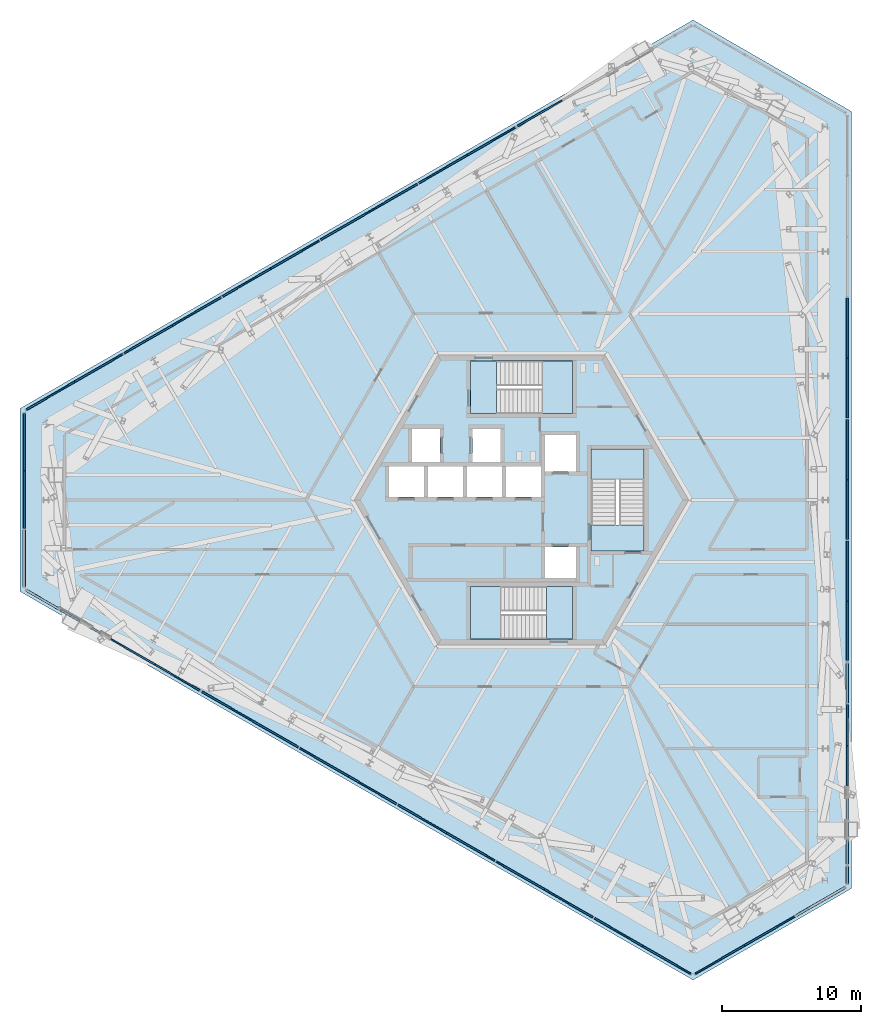
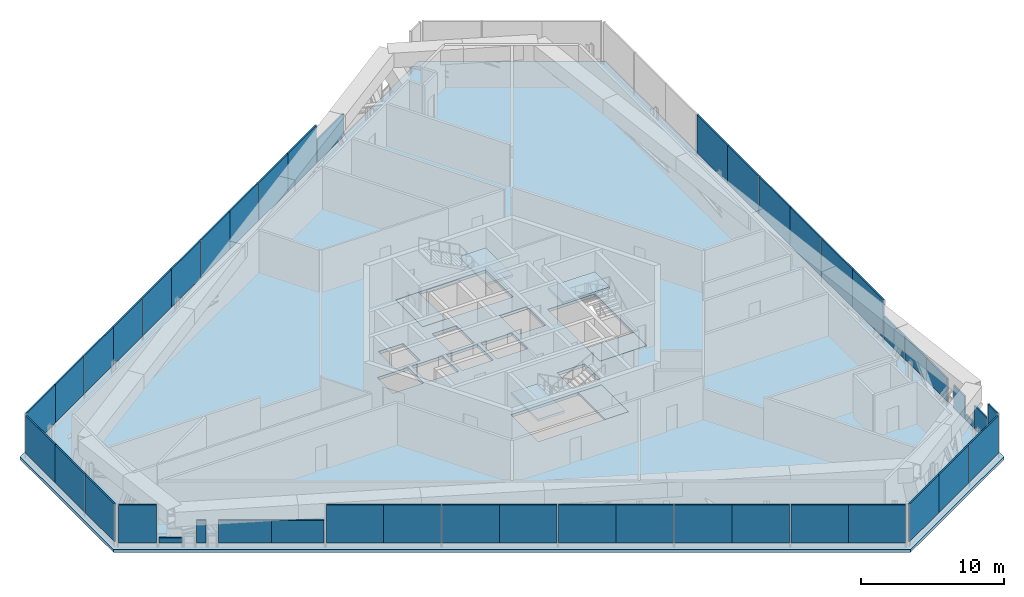
# One storey, part 12 of 23: 45 plates, 7 slabs, 18 elements without a shape of their own.
"""IFC4 building model written with IfcOpenShell, lengths in metres."""

from ifc_helpers import new_model, si_unit, direction, frame, origin, origin_2d, place, context, subcontext, project, spatial, polyline, rectangle, outline, extrude, source, transform, mapped, material, layer, layer_set, type_object, element, aggregate, save


model = new_model("IFC4")

# Units and contexts
model_context = context("Model", 3, precision=1e-05, world=origin(), true_north=direction((0.0, 1.0)))
body_context = subcontext(model_context, "Body", "Model", "MODEL_VIEW")
ifc_project = project(units=[si_unit("LENGTHUNIT", "METRE"), si_unit("AREAUNIT", "SQUARE_METRE"), si_unit("VOLUMEUNIT", "CUBIC_METRE"), si_unit("PLANEANGLEUNIT", "RADIAN"), si_unit("MASSUNIT", "GRAM", prefix="KILO")], contexts=[model_context])

# Site, building, storey
site_placement = place(None, origin())
site = spatial("IfcSite", under=ifc_project, at=site_placement, CompositionType="ELEMENT")
building_placement = place(site_placement, origin())
building = spatial("IfcBuilding", under=site, at=building_placement, Name="Triune Harvest Tower", CompositionType="ELEMENT")
storey_placement = place(building_placement, frame((0.0, 0.0, 54.699951171875)))
storey = spatial("IfcBuildingStorey", under=building, at=storey_placement, Name="L12", CompositionType="ELEMENT", Elevation=54.699951171875)

# Curtain wall, plate
ifc_material_1 = material(Name="Aluminium bronze anodised", Category="aluminium")
curtain_wall_type = type_object("IfcCurtainWallType", Name="CW-5 Plant louvre wall", PredefinedType="NOTDEFINED", material=ifc_material_1)
curtain_wall_1_placement = place(storey_placement, origin())
curtain_wall_1 = element("IfcCurtainWall", 1, at=curtain_wall_1_placement, inside=storey, type_object=curtain_wall_type, Name="CW-5 B1-F1 L12 run 201")
ifc_material_2 = material(Name="Aluminium bronze anodised", Category="aluminium")
ifc_layer_1 = layer(ifc_material_2, 0.1201171875)
ifc_layer_set_1 = layer_set([ifc_layer_1], Name="Aluminium bronze anodised")
plate_type = type_object("IfcPlateType", Name="GL-5 panel 120", PredefinedType="CURTAIN_PANEL", material=ifc_layer_set_1)
plate_1_placement = place(storey_placement, frame((23.371337890625, -23.6396484375, 0.400146484375), z_axis=(0.0, 0.0, 1.0), x_axis=(0.0, 1.0, 0.0)))
plate_1 = element("IfcPlate", 2, at=plate_1_placement, type_object=plate_type, Name="CW-5 panel B1-F1 201.1", PredefinedType="CURTAIN_PANEL", context=body_context, shape_type="SweptSolid", body=[
    extrude(rectangle(XDim=1.06005859375, YDim=0.1201171875, at=origin_2d()), origin(), (0.0, 0.0, 1.0), 0.43896484375),
])
aggregate(curtain_wall_1, [plate_1])

curtain_wall_2_placement = place(storey_placement, origin())
curtain_wall_2 = element("IfcCurtainWall", 3, at=curtain_wall_2_placement, inside=storey, type_object=curtain_wall_type, Name="CW-5 B1-F1 L12 run 301")
plate_2_placement = place(storey_placement, frame((23.371337890625, -22.18017578125, 0.39990234375), z_axis=(0.0, 0.0, 1.0), x_axis=(0.0, 1.0, 0.0)))
plate_2 = element("IfcPlate", 4, at=plate_2_placement, type_object=plate_type, Name="CW-5 panel B1-F1 301.1", PredefinedType="CURTAIN_PANEL", context=body_context, shape_type="SweptSolid", body=[
    extrude(rectangle(XDim=1.538818359375, YDim=0.1201171875, at=origin_2d()), origin(), (0.0, 0.0, 1.0), 1.929931640625),
])
aggregate(curtain_wall_2, [plate_2])

# Curtain wall, plates
curtain_wall_3_placement = place(storey_placement, origin())
curtain_wall_3 = element("IfcCurtainWall", 5, at=curtain_wall_3_placement, inside=storey, type_object=curtain_wall_type, Name="CW-5 B1-F1 L12 run 501")
plate_3_placement = place(storey_placement, frame((23.371337890625, -19.090576171875, 0.39990234375), z_axis=(0.0, 0.0, 1.0), x_axis=(0.0, 1.0, 0.0)))
plate_3 = element("IfcPlate", 6, at=plate_3_placement, type_object=plate_type, Name="CW-5 panel B1-F1 501.1", PredefinedType="CURTAIN_PANEL", context=body_context, shape_type="SweptSolid", body=[
    extrude(rectangle(XDim=2.9248046875, YDim=0.1201171875, at=origin_2d()), origin(), (0.0, 0.0, 1.0), 1.929931640625),
])
plate_4_placement = place(storey_placement, frame((23.371337890625, -16.145751953125, 0.39990234375), z_axis=(0.0, 0.0, 1.0), x_axis=(0.0, 1.0, 0.0)))
plate_4 = element("IfcPlate", 7, at=plate_4_placement, type_object=plate_type, Name="CW-5 panel B1-F1 501.2", PredefinedType="CURTAIN_PANEL", context=body_context, shape_type="SweptSolid", body=[
    extrude(rectangle(XDim=2.96484375, YDim=0.1201171875, at=origin_2d()), origin(), (0.0, 0.0, 1.0), 1.929931640625),
])
plate_5_placement = place(storey_placement, frame((23.371337890625, -13.14111328125, 0.39990234375), z_axis=(0.0, 0.0, 1.0), x_axis=(0.0, 1.0, 0.0)))
plate_5 = element("IfcPlate", 8, at=plate_5_placement, type_object=plate_type, Name="CW-5 panel B1-F1 501.3", PredefinedType="CURTAIN_PANEL", context=body_context, shape_type="SweptSolid", body=[
    extrude(rectangle(XDim=2.884765625, YDim=0.1201171875, at=origin_2d()), origin(), (0.0, 0.0, 1.0), 1.929931640625),
])
aggregate(curtain_wall_3, [plate_3, plate_4, plate_5])

# Curtain wall, plate
curtain_wall_4_placement = place(storey_placement, origin())
curtain_wall_4 = element("IfcCurtainWall", 9, at=curtain_wall_4_placement, inside=storey, type_object=curtain_wall_type, Name="CW-5 B1-F1 L12 run 601")
plate_6_placement = place(storey_placement, frame((23.371337890625, -9.39892578125, 0.39990234375), z_axis=(0.0, 0.0, 1.0), x_axis=(0.0, 1.0, 0.0)))
plate_6 = element("IfcPlate", 10, at=plate_6_placement, type_object=plate_type, Name="CW-5 panel B1-F1 601.1", PredefinedType="CURTAIN_PANEL", context=body_context, shape_type="SweptSolid", body=[
    extrude(rectangle(XDim=4.279541015625, YDim=0.1201171875, at=origin_2d()), origin(), (0.0, 0.0, 1.0), 3.239990234375),
])

curtain_wall_5_placement = place(storey_placement, origin())
curtain_wall_5 = element("IfcCurtainWall", 11, at=curtain_wall_5_placement, inside=storey, type_object=curtain_wall_type, Name="CW-5 B1-F5 L12 run 1")
plate_7_placement = place(storey_placement, frame((-34.379638671875, -7.1376953125, 0.39990234375), z_axis=(0.0, 0.0, 1.0), x_axis=(0.866029321882, -0.499993213594, 0.0)))
plate_7 = element("IfcPlate", 12, at=plate_7_placement, type_object=plate_type, Name="CW-5 panel B1-F5 1.1", PredefinedType="CURTAIN_PANEL", context=body_context, shape_type="SweptSolid", body=[
    extrude(rectangle(XDim=2.6640625, YDim=0.1201171875, at=origin_2d()), origin(), (0.0, 0.0, 1.0), 3.239990234375),
])
aggregate(curtain_wall_5, [plate_7])

curtain_wall_6_placement = place(storey_placement, origin())
curtain_wall_6 = element("IfcCurtainWall", 13, at=curtain_wall_6_placement, inside=storey, type_object=curtain_wall_type, Name="CW-5 B1-F5 L12 run 101")
plate_8_placement = place(storey_placement, frame((-32.393310546875, -8.28466796875, 0.400146484375), z_axis=(0.0, 0.0, 1.0), x_axis=(0.866042984989, -0.499969547224, 0.0)))
plate_8 = element("IfcPlate", 14, at=plate_8_placement, type_object=plate_type, Name="CW-5 panel B1-F5 101.1", PredefinedType="CURTAIN_PANEL", context=body_context, shape_type="SweptSolid", body=[
    extrude(rectangle(XDim=1.603271484375, YDim=0.1201171875, at=origin_2d()), origin(), (0.0, 0.0, 1.0), 0.43896484375),
])
aggregate(curtain_wall_6, [plate_8])

# Slab
ifc_material_3 = material(Name="Concrete 40 MPa", Category="concrete")
ifc_layer_2 = layer(ifc_material_3, 0.25)
ifc_layer_set_2 = layer_set([ifc_layer_2], Name="Concrete 40 MPa")
slab_type_1 = type_object("IfcSlabType", Name="SL-4 Composite floor slab 250", PredefinedType="FLOOR", material=ifc_layer_set_2)
slab_1_placement = place(storey_placement, frame((0.0, 0.0, -0.25)))
element("IfcSlab", 15, at=slab_1_placement, inside=storey, type_object=slab_type_1, Name="slab/L12/1", PredefinedType="FLOOR", context=body_context, shape_type="SweptSolid", body=[
    extrude(outline(polyline([(23.67138671875, -27.8798828125), (23.67138671875, 27.8798828125), (12.30908203125, 34.43994140625), (-35.98046875, 6.56005859375), (-35.98046875, -6.56005859375), (12.30908203125, -34.43994140625), (23.67138671875, -27.8798828125)]), holes=[polyline([(-7.0, 0.2099609375), (-7.0, 2.409912109375), (-9.5, 2.409912109375), (-9.5, 0.2099609375), (-7.0, 0.2099609375)]), polyline([(-4.199951171875, 0.2099609375), (-4.199951171875, 2.409912109375), (-6.699951171875, 2.409912109375), (-6.699951171875, 0.2099609375), (-4.199951171875, 0.2099609375)]), polyline([(-1.39990234375, 0.2099609375), (-1.39990234375, 2.409912109375), (-3.89990234375, 2.409912109375), (-3.89990234375, 0.2099609375), (-1.39990234375, 0.2099609375)]), polyline([(1.39990234375, 0.2099609375), (1.39990234375, 2.409912109375), (-1.10009765625, 2.409912109375), (-1.10009765625, 0.2099609375), (1.39990234375, 0.2099609375)]), polyline([(3.89990234375, 2.06005859375), (3.89990234375, 4.659912109375), (1.699951171875, 4.659912109375), (1.699951171875, 2.06005859375), (3.89990234375, 2.06005859375)]), polyline([(3.89990234375, -5.590087890625), (3.89990234375, -3.389892578125), (1.699951171875, -3.389892578125), (1.699951171875, -5.590087890625), (3.89990234375, -5.590087890625)]), polyline([(-5.85009765625, 2.7099609375), (-5.85009765625, 5.110107421875), (-7.85009765625, 5.110107421875), (-7.85009765625, 2.7099609375), (-5.85009765625, 2.7099609375)]), polyline([(-1.5, 2.7099609375), (-1.5, 5.110107421875), (-3.5, 5.110107421875), (-3.5, 2.7099609375), (-1.5, 2.7099609375)]), polyline([(3.64990234375, 6.18994140625), (3.64990234375, 9.989990234375), (-3.64990234375, 9.989990234375), (-3.64990234375, 6.18994140625), (3.64990234375, 6.18994140625)]), polyline([(3.64990234375, -9.989990234375), (3.64990234375, -6.18994140625), (-3.64990234375, -6.18994140625), (-3.64990234375, -9.989990234375), (3.64990234375, -9.989990234375)]), polyline([(8.800048828125, -3.64990234375), (8.800048828125, 3.64990234375), (5.0, 3.64990234375), (5.0, -3.64990234375), (8.800048828125, -3.64990234375)])]), origin(), (0.0, 0.0, 1.0), 0.25),
])

# Stair, slabs
ifc_material_4 = material(Name="Concrete 40 MPa", Category="concrete")
stair_type = type_object("IfcStairType", Name="Exit stair 1800 half turn", PredefinedType="HALF_TURN_STAIR", material=ifc_material_4)
stair_1_placement = place(storey_placement, origin())
stair_1 = element("IfcStair", 16, at=stair_1_placement, inside=storey, type_object=stair_type, Name="Exit stair north", PredefinedType="HALF_TURN_STAIR")
ifc_material_5 = material(Name="Concrete 40 MPa", Category="concrete")
ifc_layer_3 = layer(ifc_material_5, 0.199951171875)
ifc_layer_set_3 = layer_set([ifc_layer_3], Name="Concrete 40 MPa")
slab_type_2 = type_object("IfcSlabType", Name="Stair landing 200", PredefinedType="LANDING", material=ifc_layer_set_3)
shared_shape_1 = source(origin(), body_context, "Body", "SweptSolid", [
    extrude(outline(polyline([(-3.64990234375, 6.18994140625), (-1.780029296875, 6.18994140625), (-1.780029296875, 9.989990234375), (-3.64990234375, 9.989990234375), (-3.64990234375, 6.18994140625)])), origin(), (0.0, 0.0, 1.0), 0.199951171875),
])
slab_2_placement = place(storey_placement, frame((0.0, 0.0, -0.199951171875)))
slab_2 = element("IfcSlab", 17, at=slab_2_placement, type_object=slab_type_2, Name="ST-1 landing 1", PredefinedType="LANDING", context=body_context, shape_type="MappedRepresentation", body=[
    mapped(shared_shape_1, transform((0.0, 0.0, 0.0), scale=1.0)),
])
shared_shape_2 = source(origin(), body_context, "Body", "SweptSolid", [
    extrude(outline(polyline([(1.510009765625, 6.18994140625), (3.64990234375, 6.18994140625), (3.64990234375, 9.989990234375), (1.510009765625, 9.989990234375), (1.510009765625, 6.18994140625)])), origin(), (0.0, 0.0, 1.0), 0.2001953125),
])
slab_3_placement = place(storey_placement, frame((0.0, 0.0, 1.699951171875)))
slab_3 = element("IfcSlab", 18, at=slab_3_placement, type_object=slab_type_2, Name="ST-1 landing 2", PredefinedType="LANDING", context=body_context, shape_type="MappedRepresentation", body=[
    mapped(shared_shape_2, transform((0.0, 0.0, 0.0), scale=1.0)),
])
aggregate(stair_1, [slab_2, slab_3])

stair_2_placement = place(storey_placement, origin())
stair_2 = element("IfcStair", 19, at=stair_2_placement, inside=storey, type_object=stair_type, Name="Exit stair south", PredefinedType="HALF_TURN_STAIR")
shared_shape_3 = source(origin(), body_context, "Body", "SweptSolid", [
    extrude(outline(polyline([(3.64990234375, -6.18994140625), (1.780029296875, -6.18994140625), (1.780029296875, -9.989990234375), (3.64990234375, -9.989990234375), (3.64990234375, -6.18994140625)])), origin(), (0.0, 0.0, 1.0), 0.199951171875),
])
slab_4_placement = place(storey_placement, frame((0.0, 0.0, -0.199951171875)))
slab_4 = element("IfcSlab", 20, at=slab_4_placement, type_object=slab_type_2, Name="ST-2 landing 1", PredefinedType="LANDING", context=body_context, shape_type="MappedRepresentation", body=[
    mapped(shared_shape_3, transform((0.0, 0.0, 0.0), scale=1.0)),
])
shared_shape_4 = source(origin(), body_context, "Body", "SweptSolid", [
    extrude(outline(polyline([(-1.510009765625, -6.18994140625), (-3.64990234375, -6.18994140625), (-3.64990234375, -9.989990234375), (-1.510009765625, -9.989990234375), (-1.510009765625, -6.18994140625)])), origin(), (0.0, 0.0, 1.0), 0.2001953125),
])
slab_5_placement = place(storey_placement, frame((0.0, 0.0, 1.699951171875)))
slab_5 = element("IfcSlab", 21, at=slab_5_placement, type_object=slab_type_2, Name="ST-2 landing 2", PredefinedType="LANDING", context=body_context, shape_type="MappedRepresentation", body=[
    mapped(shared_shape_4, transform((0.0, 0.0, 0.0), scale=1.0)),
])
aggregate(stair_2, [slab_4, slab_5])

stair_3_placement = place(storey_placement, origin())
stair_3 = element("IfcStair", 22, at=stair_3_placement, inside=storey, type_object=stair_type, Name="Exit stair east", PredefinedType="HALF_TURN_STAIR")
shared_shape_5 = source(origin(), body_context, "Body", "SweptSolid", [
    extrude(outline(polyline([(8.800048828125, -3.64990234375), (8.800048828125, -1.780029296875), (5.0, -1.780029296875), (5.0, -3.64990234375), (8.800048828125, -3.64990234375)])), origin(), (0.0, 0.0, 1.0), 0.199951171875),
])
slab_6_placement = place(storey_placement, frame((0.0, 0.0, -0.199951171875)))
slab_6 = element("IfcSlab", 23, at=slab_6_placement, type_object=slab_type_2, Name="ST-3 landing 1", PredefinedType="LANDING", context=body_context, shape_type="MappedRepresentation", body=[
    mapped(shared_shape_5, transform((0.0, 0.0, 0.0), scale=1.0)),
])
shared_shape_6 = source(origin(), body_context, "Body", "SweptSolid", [
    extrude(outline(polyline([(8.800048828125, 1.510009765625), (8.800048828125, 3.64990234375), (5.0, 3.64990234375), (5.0, 1.510009765625), (8.800048828125, 1.510009765625)])), origin(), (0.0, 0.0, 1.0), 0.2001953125),
])
slab_7_placement = place(storey_placement, frame((0.0, 0.0, 1.699951171875)))
slab_7 = element("IfcSlab", 24, at=slab_7_placement, type_object=slab_type_2, Name="ST-3 landing 2", PredefinedType="LANDING", context=body_context, shape_type="MappedRepresentation", body=[
    mapped(shared_shape_6, transform((0.0, 0.0, 0.0), scale=1.0)),
])
aggregate(stair_3, [slab_6, slab_7])

# Curtain wall, plate
curtain_wall_7_placement = place(storey_placement, origin())
curtain_wall_7 = element("IfcCurtainWall", 25, at=curtain_wall_7_placement, inside=storey, type_object=curtain_wall_type, Name="CW-5 B1-F1 L12 run 1")
shared_shape_7 = source(origin(), body_context, "Body", "SweptSolid", [
    extrude(rectangle(XDim=1.251953125, YDim=0.1201171875, at=origin_2d()), origin(), (0.0, 0.0, 1.0), 3.239990234375),
])
plate_9_placement = place(storey_placement, frame((23.371337890625, -26.910888671875, 0.39990234375), z_axis=(0.0, 0.0, 1.0), x_axis=(0.0, 1.0, 0.0)))
plate_9 = element("IfcPlate", 26, at=plate_9_placement, type_object=plate_type, Name="CW-5 panel B1-F1 1.1", PredefinedType="CURTAIN_PANEL", context=body_context, shape_type="MappedRepresentation", body=[
    mapped(shared_shape_7, transform((0.0, 0.0, 0.0), scale=1.0)),
])
aggregate(curtain_wall_7, [plate_9])

curtain_wall_8_placement = place(storey_placement, origin())
curtain_wall_8 = element("IfcCurtainWall", 27, at=curtain_wall_8_placement, inside=storey, type_object=curtain_wall_type, Name="CW-5 B1-F1 L12 run 101")
shared_shape_8 = source(origin(), body_context, "Body", "SweptSolid", [
    extrude(rectangle(XDim=1.795166015625, YDim=0.1201171875, at=origin_2d()), origin(), (0.0, 0.0, 1.0), 1.929931640625),
])
plate_10_placement = place(storey_placement, frame((23.371337890625, -25.227294921875, 0.39990234375), z_axis=(0.0, 0.0, 1.0), x_axis=(0.0, 1.0, 0.0)))
plate_10 = element("IfcPlate", 28, at=plate_10_placement, type_object=plate_type, Name="CW-5 panel B1-F1 101.1", PredefinedType="CURTAIN_PANEL", context=body_context, shape_type="MappedRepresentation", body=[
    mapped(shared_shape_8, transform((0.0, 0.0, 0.0), scale=1.0)),
])
aggregate(curtain_wall_8, [plate_10])

# Plate
shared_shape_9 = source(origin(), body_context, "Body", "SweptSolid", [
    extrude(rectangle(XDim=4.319580078125, YDim=0.1201171875, at=origin_2d()), origin(), (0.0, 0.0, 1.0), 3.239990234375),
])
plate_11_placement = place(storey_placement, frame((23.371337890625, -5.099365234375, 0.39990234375), z_axis=(0.0, 0.0, 1.0), x_axis=(0.0, 1.0, 0.0)))
plate_11 = element("IfcPlate", 29, at=plate_11_placement, type_object=plate_type, Name="CW-5 panel B1-F1 601.2", PredefinedType="CURTAIN_PANEL", context=body_context, shape_type="MappedRepresentation", body=[
    mapped(shared_shape_9, transform((0.0, 0.0, 0.0), scale=1.0)),
])

plate_12_placement = place(storey_placement, frame((23.371337890625, -0.699951171875, 0.39990234375), z_axis=(0.0, 0.0, 1.0), x_axis=(0.0, 1.0, 0.0)))
plate_12 = element("IfcPlate", 30, at=plate_12_placement, type_object=plate_type, Name="CW-5 panel B1-F1 601.3", PredefinedType="CURTAIN_PANEL", context=body_context, shape_type="MappedRepresentation", body=[
    mapped(shared_shape_9, transform((0.0, 0.0, 0.0), scale=1.0)),
])

plate_13_placement = place(storey_placement, frame((23.371337890625, 3.61962890625, 0.39990234375), z_axis=(0.0, 0.0, 1.0), x_axis=(0.0, 1.0, 0.0)))
plate_13 = element("IfcPlate", 31, at=plate_13_placement, type_object=plate_type, Name="CW-5 panel B1-F1 601.4", PredefinedType="CURTAIN_PANEL", context=body_context, shape_type="MappedRepresentation", body=[
    mapped(shared_shape_9, transform((0.0, 0.0, 0.0), scale=1.0)),
])

plate_14_placement = place(storey_placement, frame((23.371337890625, 8.01904296875, 0.39990234375), z_axis=(0.0, 0.0, 1.0), x_axis=(0.0, 1.0, 0.0)))
plate_14 = element("IfcPlate", 32, at=plate_14_placement, type_object=plate_type, Name="CW-5 panel B1-F1 601.5", PredefinedType="CURTAIN_PANEL", context=body_context, shape_type="MappedRepresentation", body=[
    mapped(shared_shape_9, transform((0.0, 0.0, 0.0), scale=1.0)),
])

plate_15_placement = place(storey_placement, frame((23.371337890625, 12.338623046875, 0.39990234375), z_axis=(0.0, 0.0, 1.0), x_axis=(0.0, 1.0, 0.0)))
plate_15 = element("IfcPlate", 33, at=plate_15_placement, type_object=plate_type, Name="CW-5 panel B1-F1 601.6", PredefinedType="CURTAIN_PANEL", context=body_context, shape_type="MappedRepresentation", body=[
    mapped(shared_shape_9, transform((0.0, 0.0, 0.0), scale=1.0)),
])

aggregate(curtain_wall_4, [plate_6, plate_11, plate_12, plate_13, plate_14, plate_15])

# Curtain wall, plate
curtain_wall_9_placement = place(storey_placement, origin())
curtain_wall_9 = element("IfcCurtainWall", 34, at=curtain_wall_9_placement, inside=storey, type_object=curtain_wall_type, Name="CW-5 B1-F4 L12 run 1")
shared_shape_10 = source(origin(), body_context, "Body", "SweptSolid", [
    extrude(rectangle(XDim=4.117919921875, YDim=0.1201171875, at=origin_2d()), origin(), (0.0, 0.0, 1.0), 3.239990234375),
])
plate_16_placement = place(storey_placement, frame((-35.680419921875, 4.157958984375, 0.39990234375), z_axis=(0.0, 0.0, 1.0), x_axis=(0.0, -1.0, 0.0)))
plate_16 = element("IfcPlate", 35, at=plate_16_placement, type_object=plate_type, Name="CW-5 panel B1-F4 1.1", PredefinedType="CURTAIN_PANEL", context=body_context, shape_type="MappedRepresentation", body=[
    mapped(shared_shape_10, transform((0.0, 0.0, 0.0), scale=1.0)),
])

curtain_wall_10_placement = place(storey_placement, origin())
curtain_wall_10 = element("IfcCurtainWall", 36, at=curtain_wall_10_placement, inside=storey, type_object=curtain_wall_type, Name="CW-5 B1-F6 L12 run 1")
plate_17_placement = place(storey_placement, frame((14.239501953125, -32.979248046875, 0.39990234375), z_axis=(0.0, 0.0, 1.0), x_axis=(0.866026145592, 0.499998715149, 0.0)))
plate_17 = element("IfcPlate", 37, at=plate_17_placement, type_object=plate_type, Name="CW-5 panel B1-F6 1.1", PredefinedType="CURTAIN_PANEL", context=body_context, shape_type="MappedRepresentation", body=[
    mapped(shared_shape_10, transform((0.0, 0.0, 0.0), scale=1.0)),
])

# Plate
shared_shape_11 = source(origin(), body_context, "Body", "SweptSolid", [
    extrude(rectangle(XDim=4.157958984375, YDim=0.1201171875, at=origin_2d()), origin(), (0.0, 0.0, 1.0), 3.239990234375),
])
plate_18_placement = place(storey_placement, frame((-35.680419921875, 0.02001953125, 0.39990234375), z_axis=(0.0, 0.0, 1.0), x_axis=(0.0, -1.0, 0.0)))
plate_18 = element("IfcPlate", 38, at=plate_18_placement, type_object=plate_type, Name="CW-5 panel B1-F4 1.2", PredefinedType="CURTAIN_PANEL", context=body_context, shape_type="MappedRepresentation", body=[
    mapped(shared_shape_11, transform((0.0, 0.0, 0.0), scale=1.0)),
])

plate_19_placement = place(storey_placement, frame((17.822998046875, -30.91015625, 0.39990234375), z_axis=(0.0, 0.0, 1.0), x_axis=(0.866026145592, 0.499998715149, 0.0)))
plate_19 = element("IfcPlate", 39, at=plate_19_placement, type_object=plate_type, Name="CW-5 panel B1-F6 1.2", PredefinedType="CURTAIN_PANEL", context=body_context, shape_type="MappedRepresentation", body=[
    mapped(shared_shape_11, transform((0.0, 0.0, 0.0), scale=1.0)),
])

shared_shape_12 = source(origin(), body_context, "Body", "SweptSolid", [
    extrude(rectangle(XDim=4.077880859375, YDim=0.1201171875, at=origin_2d()), origin(), (0.0, 0.0, 1.0), 3.239990234375),
])
plate_20_placement = place(storey_placement, frame((-35.680419921875, -4.177978515625, 0.39990234375), z_axis=(0.0, 0.0, 1.0), x_axis=(0.0, -1.0, 0.0)))
plate_20 = element("IfcPlate", 40, at=plate_20_placement, type_object=plate_type, Name="CW-5 panel B1-F4 1.3", PredefinedType="CURTAIN_PANEL", context=body_context, shape_type="MappedRepresentation", body=[
    mapped(shared_shape_12, transform((0.0, 0.0, 0.0), scale=1.0)),
])

aggregate(curtain_wall_9, [plate_16, plate_18, plate_20])

plate_21_placement = place(storey_placement, frame((21.45849609375, -28.811279296875, 0.39990234375), z_axis=(0.0, 0.0, 1.0), x_axis=(0.866026145592, 0.499998715149, 0.0)))
plate_21 = element("IfcPlate", 41, at=plate_21_placement, type_object=plate_type, Name="CW-5 panel B1-F6 1.3", PredefinedType="CURTAIN_PANEL", context=body_context, shape_type="MappedRepresentation", body=[
    mapped(shared_shape_12, transform((0.0, 0.0, 0.0), scale=1.0)),
])

aggregate(curtain_wall_10, [plate_17, plate_19, plate_21])

# Curtain wall, plate
curtain_wall_11_placement = place(storey_placement, origin())
curtain_wall_11 = element("IfcCurtainWall", 42, at=curtain_wall_11_placement, inside=storey, type_object=curtain_wall_type, Name="CW-5 B1-F5 L12 run 301")
shared_shape_13 = source(origin(), body_context, "Body", "SweptSolid", [
    extrude(rectangle(XDim=0.689453125, YDim=0.1201171875, at=origin_2d()), origin(), (0.0, 0.0, 1.0), 1.929931640625),
])
plate_22_placement = place(storey_placement, frame((-30.5263671875, -9.362548828125, 0.39990234375), z_axis=(0.0, 0.0, 1.0), x_axis=(0.866054249834, -0.499950033847, 0.0)))
plate_22 = element("IfcPlate", 43, at=plate_22_placement, type_object=plate_type, Name="CW-5 panel B1-F5 301.1", PredefinedType="CURTAIN_PANEL", context=body_context, shape_type="MappedRepresentation", body=[
    mapped(shared_shape_13, transform((0.0, 0.0, 0.0), scale=1.0)),
])
aggregate(curtain_wall_11, [plate_22])

curtain_wall_12_placement = place(storey_placement, origin())
curtain_wall_12 = element("IfcCurtainWall", 44, at=curtain_wall_12_placement, inside=storey, type_object=curtain_wall_type, Name="CW-5 B1-F3 L12 run 501")
shared_shape_14 = source(origin(), body_context, "Body", "SweptSolid", [
    extrude(rectangle(XDim=3.70068359375, YDim=0.1201171875, at=origin_2d()), origin(), (0.0, 0.0, 1.0), 1.929931640625),
])
plate_23_placement = place(storey_placement, frame((1.30615234375, 27.7412109375, 0.39990234375), z_axis=(0.0, 0.0, 1.0), x_axis=(-0.866024157573, -0.500002158495, 0.0)))
plate_23 = element("IfcPlate", 45, at=plate_23_placement, type_object=plate_type, Name="CW-5 panel B1-F3 501.2", PredefinedType="CURTAIN_PANEL", context=body_context, shape_type="MappedRepresentation", body=[
    mapped(shared_shape_14, transform((0.0, 0.0, 0.0), scale=1.0)),
])
aggregate(curtain_wall_12, [plate_23])

# Curtain wall, plates
curtain_wall_13_placement = place(storey_placement, origin())
curtain_wall_13 = element("IfcCurtainWall", 46, at=curtain_wall_13_placement, inside=storey, type_object=curtain_wall_type, Name="CW-5 B1-F5 L12 run 501")
plate_24_placement = place(storey_placement, frame((-27.882568359375, -10.888916015625, 0.39990234375), z_axis=(0.0, 0.0, 1.0), x_axis=(0.866023271613, -0.500003693012, 0.0)))
plate_24 = element("IfcPlate", 47, at=plate_24_placement, type_object=plate_type, Name="CW-5 panel B1-F5 501.1", PredefinedType="CURTAIN_PANEL", context=body_context, shape_type="MappedRepresentation", body=[
    mapped(shared_shape_14, transform((0.0, 0.0, 0.0), scale=1.0)),
])
plate_25_placement = place(storey_placement, frame((-24.677734375, -12.7392578125, 0.39990234375), z_axis=(0.0, 0.0, 1.0), x_axis=(0.866023271613, -0.500003693012, 0.0)))
plate_25 = element("IfcPlate", 48, at=plate_25_placement, type_object=plate_type, Name="CW-5 panel B1-F5 501.2", PredefinedType="CURTAIN_PANEL", context=body_context, shape_type="MappedRepresentation", body=[
    mapped(shared_shape_14, transform((0.0, 0.0, 0.0), scale=1.0)),
])
aggregate(curtain_wall_13, [plate_24, plate_25])

curtain_wall_14_placement = place(storey_placement, origin())
curtain_wall_14 = element("IfcCurtainWall", 49, at=curtain_wall_14_placement, inside=storey, type_object=curtain_wall_type, Name="CW-5 B1-F3 L12 run 601")
shared_shape_15 = source(origin(), body_context, "Body", "SweptSolid", [
    extrude(rectangle(XDim=3.98876953125, YDim=0.1201171875, at=origin_2d()), origin(), (0.0, 0.0, 1.0), 3.239990234375),
])
plate_26_placement = place(storey_placement, frame((-2.162109375, 25.73876953125, 0.39990234375), z_axis=(0.0, 0.0, 1.0), x_axis=(-0.866025927069, -0.499999093644, 0.0)))
plate_26 = element("IfcPlate", 50, at=plate_26_placement, type_object=plate_type, Name="CW-5 panel B1-F3 601.1", PredefinedType="CURTAIN_PANEL", context=body_context, shape_type="MappedRepresentation", body=[
    mapped(shared_shape_15, transform((0.0, 0.0, 0.0), scale=1.0)),
])
plate_27_placement = place(storey_placement, frame((-33.80615234375, 7.468994140625, 0.39990234375), z_axis=(0.0, 0.0, 1.0), x_axis=(-0.866025927069, -0.499999093644, 0.0)))
plate_27 = element("IfcPlate", 51, at=plate_27_placement, type_object=plate_type, Name="CW-5 panel B1-F3 601.10", PredefinedType="CURTAIN_PANEL", context=body_context, shape_type="MappedRepresentation", body=[
    mapped(shared_shape_15, transform((0.0, 0.0, 0.0), scale=1.0)),
])

curtain_wall_15_placement = place(storey_placement, origin())
curtain_wall_15 = element("IfcCurtainWall", 52, at=curtain_wall_15_placement, inside=storey, type_object=curtain_wall_type, Name="CW-5 B1-F5 L12 run 601")
plate_28_placement = place(storey_placement, frame((-21.20947265625, -14.74169921875, 0.39990234375), z_axis=(0.0, 0.0, 1.0), x_axis=(0.866025477272, -0.499999872717, 0.0)))
plate_28 = element("IfcPlate", 53, at=plate_28_placement, type_object=plate_type, Name="CW-5 panel B1-F5 601.1", PredefinedType="CURTAIN_PANEL", context=body_context, shape_type="MappedRepresentation", body=[
    mapped(shared_shape_15, transform((0.0, 0.0, 0.0), scale=1.0)),
])
plate_29_placement = place(storey_placement, frame((10.434814453125, -33.011474609375, 0.39990234375), z_axis=(0.0, 0.0, 1.0), x_axis=(0.866025477272, -0.499999872717, 0.0)))
plate_29 = element("IfcPlate", 54, at=plate_29_placement, type_object=plate_type, Name="CW-5 panel B1-F5 601.10", PredefinedType="CURTAIN_PANEL", context=body_context, shape_type="MappedRepresentation", body=[
    mapped(shared_shape_15, transform((0.0, 0.0, 0.0), scale=1.0)),
])

# Plate
shared_shape_16 = source(origin(), body_context, "Body", "SweptSolid", [
    extrude(rectangle(XDim=4.02880859375, YDim=0.1201171875, at=origin_2d()), origin(), (0.0, 0.0, 1.0), 3.239990234375),
])
plate_30_placement = place(storey_placement, frame((-5.6337890625, 23.734375, 0.39990234375), z_axis=(0.0, 0.0, 1.0), x_axis=(-0.866025927069, -0.499999093644, 0.0)))
plate_30 = element("IfcPlate", 55, at=plate_30_placement, type_object=plate_type, Name="CW-5 panel B1-F3 601.2", PredefinedType="CURTAIN_PANEL", context=body_context, shape_type="MappedRepresentation", body=[
    mapped(shared_shape_16, transform((0.0, 0.0, 0.0), scale=1.0)),
])

plate_31_placement = place(storey_placement, frame((-9.192138671875, 21.679931640625, 0.39990234375), z_axis=(0.0, 0.0, 1.0), x_axis=(-0.866025927069, -0.499999093644, 0.0)))
plate_31 = element("IfcPlate", 56, at=plate_31_placement, type_object=plate_type, Name="CW-5 panel B1-F3 601.3", PredefinedType="CURTAIN_PANEL", context=body_context, shape_type="MappedRepresentation", body=[
    mapped(shared_shape_16, transform((0.0, 0.0, 0.0), scale=1.0)),
])

plate_32_placement = place(storey_placement, frame((-12.68115234375, 19.66552734375, 0.39990234375), z_axis=(0.0, 0.0, 1.0), x_axis=(-0.866025927069, -0.499999093644, 0.0)))
plate_32 = element("IfcPlate", 57, at=plate_32_placement, type_object=plate_type, Name="CW-5 panel B1-F3 601.4", PredefinedType="CURTAIN_PANEL", context=body_context, shape_type="MappedRepresentation", body=[
    mapped(shared_shape_16, transform((0.0, 0.0, 0.0), scale=1.0)),
])

plate_33_placement = place(storey_placement, frame((-16.239501953125, 17.611083984375, 0.39990234375), z_axis=(0.0, 0.0, 1.0), x_axis=(-0.866025927069, -0.499999093644, 0.0)))
plate_33 = element("IfcPlate", 58, at=plate_33_placement, type_object=plate_type, Name="CW-5 panel B1-F3 601.5", PredefinedType="CURTAIN_PANEL", context=body_context, shape_type="MappedRepresentation", body=[
    mapped(shared_shape_16, transform((0.0, 0.0, 0.0), scale=1.0)),
])

plate_34_placement = place(storey_placement, frame((-19.728515625, 15.5966796875, 0.39990234375), z_axis=(0.0, 0.0, 1.0), x_axis=(-0.866025927069, -0.499999093644, 0.0)))
plate_34 = element("IfcPlate", 59, at=plate_34_placement, type_object=plate_type, Name="CW-5 panel B1-F3 601.6", PredefinedType="CURTAIN_PANEL", context=body_context, shape_type="MappedRepresentation", body=[
    mapped(shared_shape_16, transform((0.0, 0.0, 0.0), scale=1.0)),
])

plate_35_placement = place(storey_placement, frame((-23.286865234375, 13.542236328125, 0.39990234375), z_axis=(0.0, 0.0, 1.0), x_axis=(-0.866025927069, -0.499999093644, 0.0)))
plate_35 = element("IfcPlate", 60, at=plate_35_placement, type_object=plate_type, Name="CW-5 panel B1-F3 601.7", PredefinedType="CURTAIN_PANEL", context=body_context, shape_type="MappedRepresentation", body=[
    mapped(shared_shape_16, transform((0.0, 0.0, 0.0), scale=1.0)),
])

plate_36_placement = place(storey_placement, frame((-26.776123046875, 11.52783203125, 0.39990234375), z_axis=(0.0, 0.0, 1.0), x_axis=(-0.866025927069, -0.499999093644, 0.0)))
plate_36 = element("IfcPlate", 61, at=plate_36_placement, type_object=plate_type, Name="CW-5 panel B1-F3 601.8", PredefinedType="CURTAIN_PANEL", context=body_context, shape_type="MappedRepresentation", body=[
    mapped(shared_shape_16, transform((0.0, 0.0, 0.0), scale=1.0)),
])

plate_37_placement = place(storey_placement, frame((-30.33447265625, 9.473388671875, 0.39990234375), z_axis=(0.0, 0.0, 1.0), x_axis=(-0.866025927069, -0.499999093644, 0.0)))
plate_37 = element("IfcPlate", 62, at=plate_37_placement, type_object=plate_type, Name="CW-5 panel B1-F3 601.9", PredefinedType="CURTAIN_PANEL", context=body_context, shape_type="MappedRepresentation", body=[
    mapped(shared_shape_16, transform((0.0, 0.0, 0.0), scale=1.0)),
])

aggregate(curtain_wall_14, [plate_26, plate_30, plate_31, plate_32, plate_33, plate_34, plate_35, plate_36, plate_37, plate_27])

plate_38_placement = place(storey_placement, frame((-17.73779296875, -16.74609375, 0.39990234375), z_axis=(0.0, 0.0, 1.0), x_axis=(0.866025477272, -0.499999872717, 0.0)))
plate_38 = element("IfcPlate", 63, at=plate_38_placement, type_object=plate_type, Name="CW-5 panel B1-F5 601.2", PredefinedType="CURTAIN_PANEL", context=body_context, shape_type="MappedRepresentation", body=[
    mapped(shared_shape_16, transform((0.0, 0.0, 0.0), scale=1.0)),
])

plate_39_placement = place(storey_placement, frame((-14.179443359375, -18.800537109375, 0.39990234375), z_axis=(0.0, 0.0, 1.0), x_axis=(0.866025477272, -0.499999872717, 0.0)))
plate_39 = element("IfcPlate", 64, at=plate_39_placement, type_object=plate_type, Name="CW-5 panel B1-F5 601.3", PredefinedType="CURTAIN_PANEL", context=body_context, shape_type="MappedRepresentation", body=[
    mapped(shared_shape_16, transform((0.0, 0.0, 0.0), scale=1.0)),
])

plate_40_placement = place(storey_placement, frame((-10.690185546875, -20.81494140625, 0.39990234375), z_axis=(0.0, 0.0, 1.0), x_axis=(0.866025477272, -0.499999872717, 0.0)))
plate_40 = element("IfcPlate", 65, at=plate_40_placement, type_object=plate_type, Name="CW-5 panel B1-F5 601.4", PredefinedType="CURTAIN_PANEL", context=body_context, shape_type="MappedRepresentation", body=[
    mapped(shared_shape_16, transform((0.0, 0.0, 0.0), scale=1.0)),
])

plate_41_placement = place(storey_placement, frame((-7.1318359375, -22.869384765625, 0.39990234375), z_axis=(0.0, 0.0, 1.0), x_axis=(0.866025477272, -0.499999872717, 0.0)))
plate_41 = element("IfcPlate", 66, at=plate_41_placement, type_object=plate_type, Name="CW-5 panel B1-F5 601.5", PredefinedType="CURTAIN_PANEL", context=body_context, shape_type="MappedRepresentation", body=[
    mapped(shared_shape_16, transform((0.0, 0.0, 0.0), scale=1.0)),
])

plate_42_placement = place(storey_placement, frame((-3.642822265625, -24.8837890625, 0.39990234375), z_axis=(0.0, 0.0, 1.0), x_axis=(0.866025477272, -0.499999872717, 0.0)))
plate_42 = element("IfcPlate", 67, at=plate_42_placement, type_object=plate_type, Name="CW-5 panel B1-F5 601.6", PredefinedType="CURTAIN_PANEL", context=body_context, shape_type="MappedRepresentation", body=[
    mapped(shared_shape_16, transform((0.0, 0.0, 0.0), scale=1.0)),
])

plate_43_placement = place(storey_placement, frame((-0.08447265625, -26.938232421875, 0.39990234375), z_axis=(0.0, 0.0, 1.0), x_axis=(0.866025477272, -0.499999872717, 0.0)))
plate_43 = element("IfcPlate", 68, at=plate_43_placement, type_object=plate_type, Name="CW-5 panel B1-F5 601.7", PredefinedType="CURTAIN_PANEL", context=body_context, shape_type="MappedRepresentation", body=[
    mapped(shared_shape_16, transform((0.0, 0.0, 0.0), scale=1.0)),
])

plate_44_placement = place(storey_placement, frame((3.404541015625, -28.95263671875, 0.39990234375), z_axis=(0.0, 0.0, 1.0), x_axis=(0.866025477272, -0.499999872717, 0.0)))
plate_44 = element("IfcPlate", 69, at=plate_44_placement, type_object=plate_type, Name="CW-5 panel B1-F5 601.8", PredefinedType="CURTAIN_PANEL", context=body_context, shape_type="MappedRepresentation", body=[
    mapped(shared_shape_16, transform((0.0, 0.0, 0.0), scale=1.0)),
])

plate_45_placement = place(storey_placement, frame((6.962890625, -31.007080078125, 0.39990234375), z_axis=(0.0, 0.0, 1.0), x_axis=(0.866025477272, -0.499999872717, 0.0)))
plate_45 = element("IfcPlate", 70, at=plate_45_placement, type_object=plate_type, Name="CW-5 panel B1-F5 601.9", PredefinedType="CURTAIN_PANEL", context=body_context, shape_type="MappedRepresentation", body=[
    mapped(shared_shape_16, transform((0.0, 0.0, 0.0), scale=1.0)),
])

aggregate(curtain_wall_15, [plate_28, plate_38, plate_39, plate_40, plate_41, plate_42, plate_43, plate_44, plate_45, plate_29])

save(model, "model.ifc")
